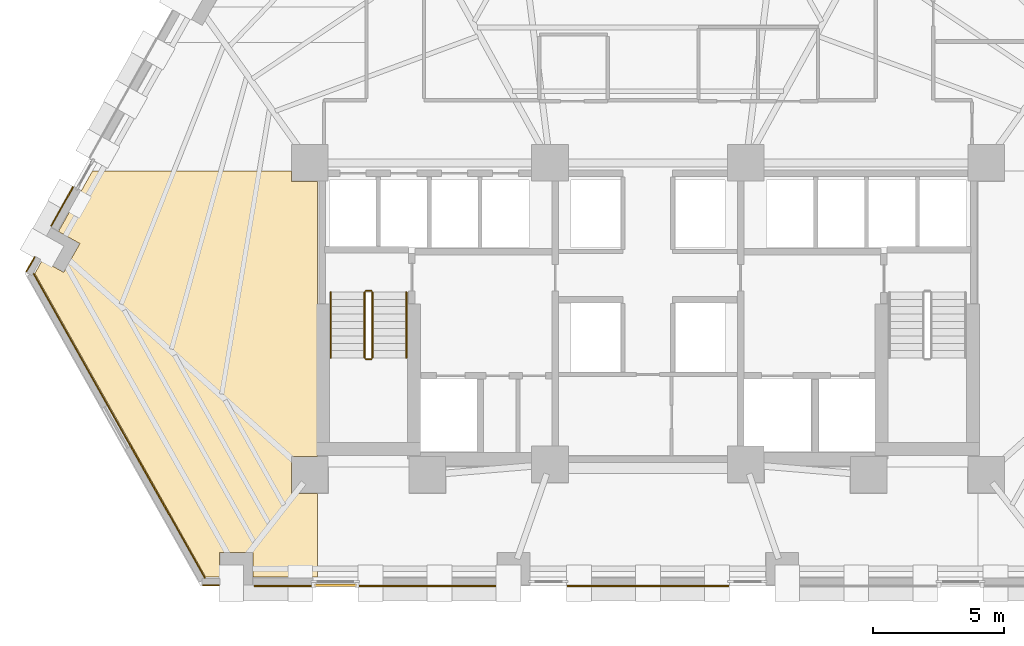
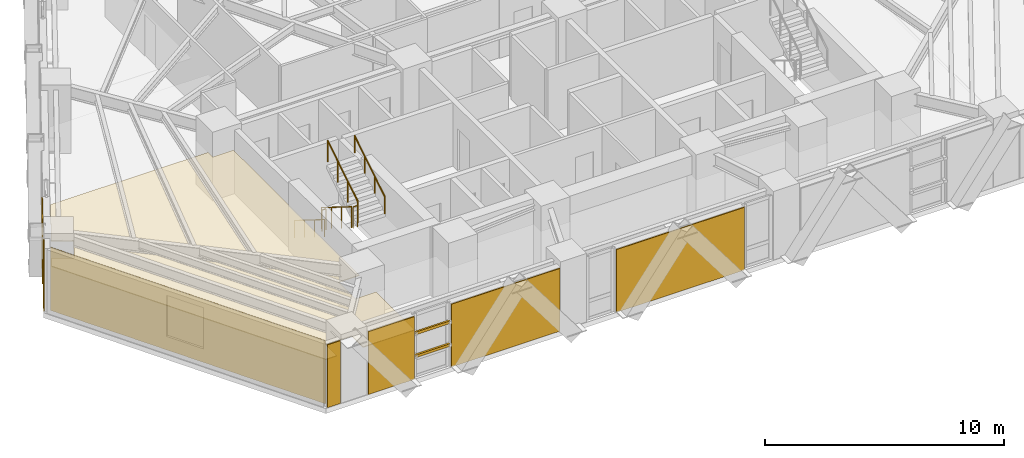
# One storey, part 10 of 13: 8 coverings, 6 railings, 2 shading devices.
"""IFC4 building model written with IfcOpenShell, lengths in metres."""

from ifc_helpers import new_model, si_unit, direction, frame, origin, origin_2d, place, context, subcontext, project, spatial, polyline, rectangle, circle, outline, extrude, material, layer, layer_set, material_profile, profile_set, type_object, element, save


model = new_model("IFC4")

# Units and contexts
model_context = context("Model", 3, precision=1e-05, world=origin(), true_north=direction((0.0, 1.0)))
body_context = subcontext(model_context, "Body", "Model", "MODEL_VIEW")
ifc_project = project(units=[si_unit("LENGTHUNIT", "METRE"), si_unit("AREAUNIT", "SQUARE_METRE"), si_unit("VOLUMEUNIT", "CUBIC_METRE"), si_unit("PLANEANGLEUNIT", "RADIAN"), si_unit("MASSUNIT", "GRAM", prefix="KILO")], contexts=[model_context])

# Site, building, storey
site_placement = place(None, origin())
site = spatial("IfcSite", under=ifc_project, at=site_placement, CompositionType="ELEMENT")
building_placement = place(site_placement, origin())
building = spatial("IfcBuilding", under=site, at=building_placement, Name="Quenlor Broadcast Tower", CompositionType="ELEMENT")
storey_placement = place(building_placement, frame((0.0, 0.0, 34.60009765625)))
storey = spatial("IfcBuildingStorey", under=building, at=storey_placement, Name="L08", CompositionType="ELEMENT", Elevation=34.60009765625)

# Covering
ifc_material_1 = material(Name="Acoustic Gypsum Board", Category="other")
ifc_layer_1 = layer(ifc_material_1, 0.0400390625)
ifc_layer_set_1 = layer_set([ifc_layer_1], Name="Broadcast Studio Spring Isolated Ceiling 40")
covering_type_1 = type_object("IfcCoveringType", Name="Broadcast Studio Spring Isolated Ceiling 40", PredefinedType="CEILING", material=ifc_layer_set_1)
covering_1_placement = place(storey_placement, frame((0.0, 0.0, 2.2099609375)))
element("IfcCovering", 1, at=covering_1_placement, inside=storey, type_object=covering_type_1, Name="L08 Acoustic Ceiling L08-38-3", PredefinedType="CEILING", context=body_context, shape_type="SweptSolid", body=[
    extrude(outline(polyline([(-13.657958984375, -5.508056640625), (-12.64990234375, -5.508056640625), (-12.64990234375, -16.0419921875), (-13.657958984375, -16.0419921875), (-13.657958984375, -17.4580078125), (-12.64990234375, -17.4580078125), (-12.64990234375, -20.659912109375), (-15.132080078125, -20.659912109375), (-15.132080078125, -19.717041015625), (-16.398193359375, -19.717041015625), (-16.398193359375, -20.659912109375), (-16.937255859375, -20.659912109375), (-23.477783203125, -9.031982421875), (-23.196533203125, -8.531982421875), (-22.374755859375, -8.994140625), (-21.754150390625, -7.890625), (-22.575927734375, -7.428466796875), (-21.27734375, -5.1201171875), (-13.657958984375, -5.1201171875), (-13.657958984375, -5.508056640625)])), origin(), (0.0, 0.0, 1.0), 0.0400390625),
])

# Shading devices
ifc_material_2 = material(Name="Architectural Terracotta Ceramic", Category="masonry")
ifc_material_profile = material_profile(ifc_material_2, rectangle(XDim=0.090087890625, YDim=0.139892578125, at=origin_2d()))
ifc_profile_set = profile_set([ifc_material_profile], Name="Architectural Terracotta Ceramic BAG90x140")
shading_device_type = type_object("IfcShadingDeviceType", Name="Copper Terracotta Baguette Solar Screen 140", PredefinedType="USERDEFINED", material=ifc_profile_set)
for number, where, z_axis, x_axis, name in (
    (2, (-11.146484375, -20.98291015625, 1.169921875), (-1.0, 0.0, 0.0), (0.0, -1.0, 0.0), "L08 Terracotta Baguette Screen 1"),
    (3, (-11.146484375, -20.98291015625, 2.33984375), (-1.0, 0.0, 0.0), (0.0, -1.0, 0.0), "L08 Terracotta Baguette Screen 2"),
):
    element("IfcShadingDevice", number, at=place(storey_placement, frame(where, z_axis=z_axis, x_axis=x_axis)), inside=storey, type_object=shading_device_type, Name=name, ObjectType="BAGUETTE", PredefinedType="USERDEFINED", context=body_context, shape_type="SweptSolid", body=[
        extrude(rectangle(XDim=0.090087890625, YDim=0.139892578125, at=origin_2d()), origin(), (0.0, 0.0, 1.0), 1.6484375),
    ])

# Coverings
ifc_material_3 = material(Name="Architectural Terracotta Ceramic", Category="masonry")
ifc_layer_2 = layer(ifc_material_3, 0.044921875)
ifc_layer_set_2 = layer_set([ifc_layer_2], Name="Fluted Terracotta Rainscreen Cladding Panel")
covering_type_2 = type_object("IfcCoveringType", Name="Fluted Terracotta Rainscreen Cladding Panel", PredefinedType="CLADDING", material=ifc_layer_set_2)
covering_2_placement = place(storey_placement, frame((0.0, 0.0, 0.02001953125)))
element("IfcCovering", 4, at=covering_2_placement, inside=storey, type_object=covering_type_2, Name="L08 Terracotta Rainscreen Cladding L08-SHD-SS1", PredefinedType="CLADDING", context=body_context, shape_type="SweptSolid", body=[
    extrude(outline(polyline([(-16.425048828125, -20.951904296875), (-17.0458984375, -20.951904296875), (-17.0458984375, -20.9970703125), (-16.425048828125, -20.9970703125), (-16.425048828125, -20.951904296875)])), origin(), (0.0, 0.0, 1.0), 3.2099609375),
])
covering_3_placement = place(storey_placement, frame((0.0, 0.0, 0.02001953125)))
element("IfcCovering", 5, at=covering_3_placement, inside=storey, type_object=covering_type_2, Name="L08 Terracotta Rainscreen Cladding L08-SC-SP1", PredefinedType="CLADDING", context=body_context, shape_type="SweptSolid", body=[
    extrude(outline(polyline([(-5.82080078125, -20.98193359375), (-11.07666015625, -20.98193359375), (-11.07666015625, -21.027099609375), (-5.82080078125, -21.027099609375), (-5.82080078125, -20.98193359375)])), origin(), (0.0, 0.0, 1.0), 3.2099609375),
])
covering_4_placement = place(storey_placement, frame((0.0, 0.0, 0.02001953125)))
element("IfcCovering", 6, at=covering_4_placement, inside=storey, type_object=covering_type_2, Name="L08 Terracotta Rainscreen Cladding L08-SC-SP2", PredefinedType="CLADDING", context=body_context, shape_type="SweptSolid", body=[
    extrude(outline(polyline([(-12.864990234375, -20.98193359375), (-15.085205078125, -20.98193359375), (-15.085205078125, -21.027099609375), (-12.864990234375, -21.027099609375), (-12.864990234375, -20.98193359375)])), origin(), (0.0, 0.0, 1.0), 3.2099609375),
])
covering_5_placement = place(storey_placement, frame((0.0, 0.0, 0.02001953125)))
element("IfcCovering", 7, at=covering_5_placement, inside=storey, type_object=covering_type_2, Name="L08 Terracotta Rainscreen Cladding L08-S-SP1", PredefinedType="CLADDING", context=body_context, shape_type="SweptSolid", body=[
    extrude(outline(polyline([(3.09619140625, -20.98193359375), (-3.09619140625, -20.98193359375), (-3.09619140625, -21.027099609375), (3.09619140625, -21.027099609375), (3.09619140625, -20.98193359375)])), origin(), (0.0, 0.0, 1.0), 3.2099609375),
])
covering_6_placement = place(storey_placement, frame((0.0, 0.0, 0.02001953125)))
element("IfcCovering", 8, at=covering_6_placement, inside=storey, type_object=covering_type_2, Name="L08 Terracotta Rainscreen Cladding L08-SHD-NWS0", PredefinedType="CLADDING", context=body_context, shape_type="SweptSolid", body=[
    extrude(outline(polyline([(-23.781982421875, -8.97705078125), (-23.464111328125, -8.412109375), (-23.50341796875, -8.39013671875), (-23.8212890625, -8.955078125), (-23.781982421875, -8.97705078125)])), origin(), (0.0, 0.0, 1.0), 3.2099609375),
])
covering_7_placement = place(storey_placement, frame((0.0, 0.0, 0.02001953125)))
element("IfcCovering", 9, at=covering_7_placement, inside=storey, type_object=covering_type_2, Name="L08 Terracotta Rainscreen Cladding L08-NWA-SP1", PredefinedType="CLADDING", context=body_context, shape_type="SweptSolid", body=[
    extrude(outline(polyline([(-22.83349609375, -7.2294921875), (-21.988525390625, -5.727294921875), (-22.027587890625, -5.705322265625), (-22.872802734375, -7.20751953125), (-22.83349609375, -7.2294921875)])), origin(), (0.0, 0.0, 1.0), 3.2099609375),
])
covering_8_placement = place(storey_placement, frame((0.0, 0.0, 0.02001953125)))
element("IfcCovering", 10, at=covering_8_placement, inside=storey, type_object=covering_type_2, Name="L08 Terracotta Rainscreen Cladding L08-CNR-04", PredefinedType="CLADDING", context=body_context, shape_type="SweptSolid", body=[
    extrude(outline(polyline([(-23.547607421875, -9.046875), (-16.98388671875, -20.71533203125), (-16.94482421875, -20.693359375), (-23.50830078125, -9.02490234375), (-23.547607421875, -9.046875)])), origin(), (0.0, 0.0, 1.0), 3.2099609375),
])

# Railings
ifc_material_4 = material(Name="Anodised Aluminium", Category="aluminium")
railing_type_1 = type_object("IfcRailingType", Name="Stainless Aluminium Wall Handrail 900", PredefinedType="HANDRAIL", material=ifc_material_4)
railing_1_placement = place(storey_placement, frame((-12.14990234375, -9.75, 0.1748046875)))
element("IfcRailing", 11, at=railing_1_placement, inside=storey, type_object=railing_type_1, Name="L08 ST-1 stair handrail 1", PredefinedType="HANDRAIL", context=body_context, shape_type="SweptSolid", body=[
    extrude(circle(Radius=0.02392578125, at=origin_2d()), frame((0.0, 0.0, 0.8759765625), z_axis=(0.0, -0.847970611238, 0.530043245855), x_axis=(1.0, 0.0, 0.0)), (0.0, 0.0, 1.0), 2.971923828125),
    extrude(circle(Radius=0.02099609375, at=origin_2d()), origin(), (0.0, 0.0, 1.0), 0.851806640625),
    extrude(circle(Radius=0.02099609375, at=origin_2d()), frame((0.0, -0.840087890625, 0.525146484375)), (0.0, 0.0, 1.0), 0.851806640625),
    extrude(circle(Radius=0.02099609375, at=origin_2d()), frame((0.0, -1.679931640625, 1.050048828125)), (0.0, 0.0, 1.0), 0.851806640625),
    extrude(circle(Radius=0.02099609375, at=origin_2d()), frame((0.0, -2.52001953125, 1.5751953125)), (0.0, 0.0, 1.0), 0.851806640625),
])
railing_2_placement = place(storey_placement, frame((-9.25, -12.27001953125, 1.9248046875)))
element("IfcRailing", 12, at=railing_2_placement, inside=storey, type_object=railing_type_1, Name="L08 ST-1 stair handrail 2", PredefinedType="HANDRAIL", context=body_context, shape_type="SweptSolid", body=[
    extrude(circle(Radius=0.02392578125, at=origin_2d()), frame((0.0, 0.0, 0.8759765625), z_axis=(0.0, 0.847970611238, 0.530043245855), x_axis=(-1.0, 0.0, 0.0)), (0.0, 0.0, 1.0), 2.971923828125),
    extrude(circle(Radius=0.02099609375, at=origin_2d()), origin(), (0.0, 0.0, 1.0), 0.851806640625),
    extrude(circle(Radius=0.02099609375, at=origin_2d()), frame((0.0, 0.840087890625, 0.525146484375)), (0.0, 0.0, 1.0), 0.851806640625),
    extrude(circle(Radius=0.02099609375, at=origin_2d()), frame((0.0, 1.679931640625, 1.050048828125)), (0.0, 0.0, 1.0), 0.851806640625),
    extrude(circle(Radius=0.02099609375, at=origin_2d()), frame((0.0, 2.52001953125, 1.5751953125)), (0.0, 0.0, 1.0), 0.851806640625),
])
ifc_material_5 = material(Name="Steel S355", Category="steel")
railing_type_2 = type_object("IfcRailingType", Name="Tubular Steel S355 Stair Guardrail 1100", PredefinedType="BALUSTRADE", material=ifc_material_5)
railing_3_placement = place(storey_placement, frame((-10.85009765625, -9.75, 0.1748046875)))
element("IfcRailing", 13, at=railing_3_placement, inside=storey, type_object=railing_type_2, Name="L08 ST-1 stair guard 1", PredefinedType="BALUSTRADE", context=body_context, shape_type="SweptSolid", body=[
    extrude(circle(Radius=0.02392578125, at=origin_2d()), frame((0.0, 0.0, 1.076171875), z_axis=(0.0, -0.847970611238, 0.530043245855), x_axis=(1.0, 0.0, 0.0)), (0.0, 0.0, 1.0), 2.971923828125),
    extrude(circle(Radius=0.02099609375, at=origin_2d()), origin(), (0.0, 0.0, 1.0), 1.052001953125),
    extrude(circle(Radius=0.02099609375, at=origin_2d()), frame((0.0, -0.840087890625, 0.525146484375)), (0.0, 0.0, 1.0), 1.052001953125),
    extrude(circle(Radius=0.02099609375, at=origin_2d()), frame((0.0, -1.679931640625, 1.050048828125)), (0.0, 0.0, 1.0), 1.052001953125),
    extrude(circle(Radius=0.02099609375, at=origin_2d()), frame((0.0, -2.52001953125, 1.5751953125)), (0.0, 0.0, 1.0), 1.052001953125),
])
railing_4_placement = place(storey_placement, frame((-10.800048828125, -12.320068359375, 1.75)))
element("IfcRailing", 14, at=railing_4_placement, inside=storey, type_object=railing_type_2, Name="L08 ST-1 stair guard 2", PredefinedType="BALUSTRADE", context=body_context, shape_type="SweptSolid", body=[
    extrude(circle(Radius=0.02392578125, at=origin_2d()), frame((0.0, 0.0, 1.076171875), z_axis=(1.0, 0.0, 0.0), x_axis=(0.0, 1.0, 0.0)), (0.0, 0.0, 1.0), 0.199951171875),
    extrude(circle(Radius=0.02099609375, at=origin_2d()), origin(), (0.0, 0.0, 1.0), 1.052001953125),
    extrude(circle(Radius=0.02099609375, at=origin_2d()), frame((0.199951171875, 0.0, 0.0)), (0.0, 0.0, 1.0), 1.052001953125),
])
railing_5_placement = place(storey_placement, frame((-10.550048828125, -12.27001953125, 1.9248046875)))
element("IfcRailing", 15, at=railing_5_placement, inside=storey, type_object=railing_type_2, Name="L08 ST-1 stair guard 3", PredefinedType="BALUSTRADE", context=body_context, shape_type="SweptSolid", body=[
    extrude(circle(Radius=0.02392578125, at=origin_2d()), frame((0.0, 0.0, 1.076171875), z_axis=(0.0, 0.847970611238, 0.530043245855), x_axis=(-1.0, 0.0, 0.0)), (0.0, 0.0, 1.0), 2.971923828125),
    extrude(circle(Radius=0.02099609375, at=origin_2d()), origin(), (0.0, 0.0, 1.0), 1.052001953125),
    extrude(circle(Radius=0.02099609375, at=origin_2d()), frame((0.0, 0.840087890625, 0.525146484375)), (0.0, 0.0, 1.0), 1.052001953125),
    extrude(circle(Radius=0.02099609375, at=origin_2d()), frame((0.0, 1.679931640625, 1.050048828125)), (0.0, 0.0, 1.0), 1.052001953125),
    extrude(circle(Radius=0.02099609375, at=origin_2d()), frame((0.0, 2.52001953125, 1.5751953125)), (0.0, 0.0, 1.0), 1.052001953125),
])
railing_6_placement = place(storey_placement, frame((-10.800048828125, -9.699951171875, 0.0)))
element("IfcRailing", 16, at=railing_6_placement, inside=storey, type_object=railing_type_2, Name="L08 ST-1 stair guard 4", PredefinedType="BALUSTRADE", context=body_context, shape_type="SweptSolid", body=[
    extrude(circle(Radius=0.02392578125, at=origin_2d()), frame((0.0, 0.0, 1.076171875), z_axis=(1.0, 0.0, 0.0), x_axis=(0.0, 1.0, 0.0)), (0.0, 0.0, 1.0), 0.199951171875),
    extrude(circle(Radius=0.02099609375, at=origin_2d()), origin(), (0.0, 0.0, 1.0), 1.052001953125),
    extrude(circle(Radius=0.02099609375, at=origin_2d()), frame((0.199951171875, 0.0, 0.0)), (0.0, 0.0, 1.0), 1.052001953125),
])

save(model, "model.ifc")
